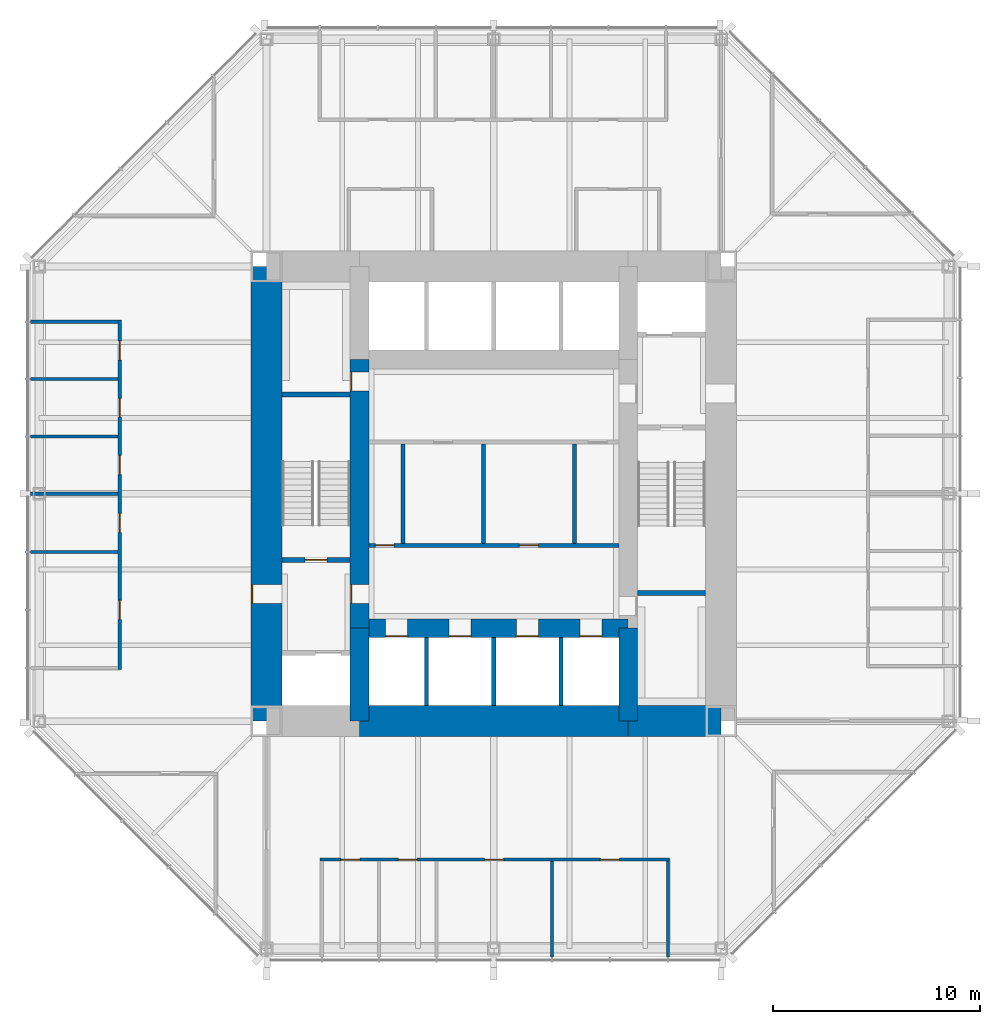
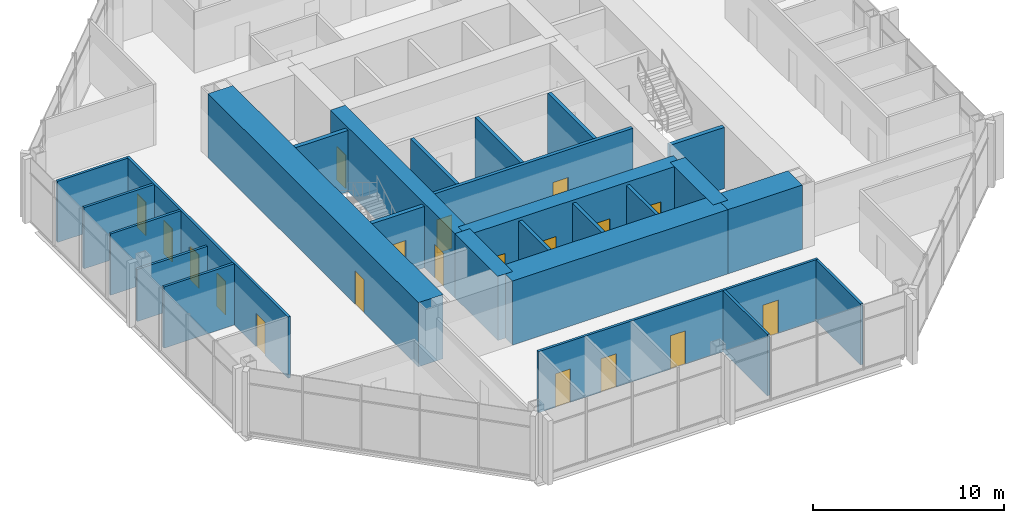
# One storey, part 9 of 12: 26 walls, 19 doors, 19 openings.
"""IFC4 building model written with IfcOpenShell, lengths in metres."""

from ifc_helpers import new_model, si_unit, direction, frame, frame_2d, origin, place, context, subcontext, project, spatial, rectangle, extrude, material, layer, layer_set, type_object, element, fill, save


model = new_model("IFC4")

# Units and contexts
model_context = context("Model", 3, precision=1e-05, world=origin(), true_north=direction((0.0, 1.0)))
body_context = subcontext(model_context, "Body", "Model", "MODEL_VIEW")
ifc_project = project(units=[si_unit("LENGTHUNIT", "METRE"), si_unit("AREAUNIT", "SQUARE_METRE"), si_unit("VOLUMEUNIT", "CUBIC_METRE"), si_unit("PLANEANGLEUNIT", "RADIAN"), si_unit("MASSUNIT", "GRAM", prefix="KILO")], contexts=[model_context])

# Site, building, storey
site_placement = place(None, origin())
site = spatial("IfcSite", under=ifc_project, at=site_placement, CompositionType="ELEMENT")
building_placement = place(site_placement, origin())
building = spatial("IfcBuilding", under=site, at=building_placement, Name="Trevanion Tower", CompositionType="ELEMENT")
storey_placement = place(building_placement, frame((0.0, 0.0, 166.39990234375)))
storey = spatial("IfcBuildingStorey", under=building, at=storey_placement, Name="L39", CompositionType="ELEMENT", Elevation=166.39990234375)

# Wall, opening, door
ifc_material_1 = material(Name="Concrete 10,000 psi", Category="concrete")
ifc_layer_1 = layer(ifc_material_1, 1.5)
ifc_layer_set_1 = layer_set([ifc_layer_1], Name="CW1 core wall 1500")
wall_type_1 = type_object("IfcWallType", Name="CW1 core wall 1500", PredefinedType="SHEAR", material=ifc_layer_set_1)
wall_1_placement = place(storey_placement, frame((-11.0, 11.0, 0.0), z_axis=(0.0, 0.0, 1.0), x_axis=(0.0, -1.0, 0.0)))
wall_1 = element("IfcWall", 1, at=wall_1_placement, inside=storey, type_object=wall_type_1, Name="CW1 CW L39", PredefinedType="SHEAR", context=body_context, shape_type="SweptSolid", body=[
    extrude(rectangle(XDim=22.0, YDim=1.5, at=frame_2d((11.0, 0.0))), origin(), (0.0, 0.0, 1.0), 4.10009765625),
])
opening_1_placement = place(wall_1_placement, frame((15.392578125, 0.0, 0.0)))
opening_1 = element("IfcOpeningElement", 2, at=opening_1_placement, cuts=wall_1, Name="Opening 39-002", PredefinedType="OPENING", context=body_context, shape_type="SweptSolid", body=[
    extrude(rectangle(XDim=0.9150390625, YDim=2.134033203125, at=frame_2d((0.45751953125, 1.06689453125))), frame((0.0, 0.760009765625, 0.0), z_axis=(0.0, -1.0, 0.0), x_axis=(1.0, 0.0, 0.0)), (0.0, 0.0, 1.0), 1.52001953125),
])
ifc_material_2 = material(Name="Hollow metal, fire rated", Category="steel")
door_type_1 = type_object("IfcDoorType", Name="D3 fire lift lobby door", OperationType="SINGLE_SWING_RIGHT", PredefinedType="DOOR", material=ifc_material_2)
door_1_placement = place(opening_1_placement, origin())
door_1 = element("IfcDoor", 3, at=door_1_placement, inside=storey, type_object=door_type_1, Name="Door 39-002", OperationType="SINGLE_SWING_RIGHT", OverallHeight=2.134033203125, OverallWidth=0.9150390625, PredefinedType="DOOR", context=body_context, shape_type="SweptSolid", body=[
    extrude(rectangle(XDim=0.9150390625, YDim=2.134033203125, at=frame_2d((0.45751953125, 1.06689453125))), frame((0.0, -0.6748046875, 0.0), z_axis=(0.0, -1.0, 0.0), x_axis=(1.0, 0.0, 0.0)), (0.0, 0.0, 1.0), 0.050048828125),
])
fill(opening_1, door_1)

# Walls
wall_2_placement = place(storey_placement, frame((-6.5, -11.0, 0.0), z_axis=(0.0, 0.0, 1.0), x_axis=(1.0, 0.0, 0.0)))
element("IfcWall", 4, at=wall_2_placement, inside=storey, type_object=wall_type_1, Name="CW1 CS2 L39", PredefinedType="SHEAR", context=body_context, shape_type="SweptSolid", body=[
    extrude(rectangle(XDim=13.0, YDim=1.5, at=frame_2d((6.5, 0.0))), origin(), (0.0, 0.0, 1.0), 4.10009765625),
])
wall_3_placement = place(storey_placement, frame((6.5, -11.0, 0.0), z_axis=(0.0, 0.0, 1.0), x_axis=(1.0, 0.0, 0.0)))
element("IfcWall", 5, at=wall_3_placement, inside=storey, type_object=wall_type_1, Name="CW1 CS3 L39", PredefinedType="SHEAR", context=body_context, shape_type="SweptSolid", body=[
    extrude(rectangle(XDim=4.5, YDim=1.5, at=frame_2d((2.25, 0.0))), origin(), (0.0, 0.0, 1.0), 4.10009765625),
])
ifc_material_3 = material(Name="Concrete 10,000 psi", Category="concrete")
ifc_layer_2 = layer(ifc_material_3, 0.89990234375)
ifc_layer_set_2 = layer_set([ifc_layer_2], Name="CW2 core wall 900")
wall_type_2 = type_object("IfcWallType", Name="CW2 core wall 900", PredefinedType="SHEAR", material=ifc_layer_set_2)
wall_4_placement = place(storey_placement, frame((6.5, -11.0, 0.0), z_axis=(0.0, 0.0, 1.0), x_axis=(0.0, 1.0, 0.0)))
element("IfcWall", 6, at=wall_4_placement, inside=storey, type_object=wall_type_2, Name="CW2 RE1 L39", PredefinedType="SHEAR", context=body_context, shape_type="SweptSolid", body=[
    extrude(rectangle(XDim=4.5, YDim=0.89990234375, at=frame_2d((2.25, 0.0))), origin(), (0.0, 0.0, 1.0), 4.10009765625),
])

# Wall, openings, doors
wall_5_placement = place(storey_placement, frame((-6.5, 6.5, 0.0), z_axis=(0.0, 0.0, 1.0), x_axis=(0.0, -1.0, 0.0)))
wall_5 = element("IfcWall", 7, at=wall_5_placement, inside=storey, type_object=wall_type_2, Name="CW2 RW2 L39", PredefinedType="SHEAR", context=body_context, shape_type="SweptSolid", body=[
    extrude(rectangle(XDim=13.0, YDim=0.89990234375, at=frame_2d((6.5, 0.0))), origin(), (0.0, 0.0, 1.0), 4.10009765625),
])
opening_2_placement = place(wall_5_placement, frame((10.892578125, 0.0, 0.0)))
opening_2 = element("IfcOpeningElement", 8, at=opening_2_placement, cuts=wall_5, Name="Opening 39-004", PredefinedType="OPENING", context=body_context, shape_type="SweptSolid", body=[
    extrude(rectangle(XDim=0.9150390625, YDim=2.134033203125, at=frame_2d((0.45751953125, 1.06689453125))), frame((0.0, 0.4599609375, 0.0), z_axis=(0.0, -1.0, 0.0), x_axis=(1.0, 0.0, 0.0)), (0.0, 0.0, 1.0), 0.919921875),
])
opening_3_placement = place(wall_5_placement, frame((0.610107421875, 0.0, 0.0)))
opening_3 = element("IfcOpeningElement", 9, at=opening_3_placement, cuts=wall_5, Name="Opening 39-010", PredefinedType="OPENING", context=body_context, shape_type="SweptSolid", body=[
    extrude(rectangle(XDim=0.9150390625, YDim=2.134033203125, at=frame_2d((0.45751953125, 1.06689453125))), frame((0.0, 0.4599609375, 0.0), z_axis=(0.0, -1.0, 0.0), x_axis=(1.0, 0.0, 0.0)), (0.0, 0.0, 1.0), 0.919921875),
])
door_2_placement = place(opening_2_placement, origin())
door_2 = element("IfcDoor", 10, at=door_2_placement, inside=storey, type_object=door_type_1, Name="Door 39-004", OperationType="SINGLE_SWING_RIGHT", OverallHeight=2.134033203125, OverallWidth=0.9150390625, PredefinedType="DOOR", context=body_context, shape_type="SweptSolid", body=[
    extrude(rectangle(XDim=0.9150390625, YDim=2.134033203125, at=frame_2d((0.45751953125, 1.06689453125))), frame((0.0, -0.375, 0.0), z_axis=(0.0, -1.0, 0.0), x_axis=(1.0, 0.0, 0.0)), (0.0, 0.0, 1.0), 0.050048828125),
])
fill(opening_2, door_2)
ifc_material_4 = material(Name="Hollow metal, fire rated", Category="steel")
door_type_2 = type_object("IfcDoorType", Name="D5 service room door", OperationType="SINGLE_SWING_RIGHT", PredefinedType="DOOR", material=ifc_material_4)
door_3_placement = place(opening_3_placement, origin())
door_3 = element("IfcDoor", 11, at=door_3_placement, inside=storey, type_object=door_type_2, Name="Door 39-010", OperationType="SINGLE_SWING_RIGHT", OverallHeight=2.134033203125, OverallWidth=0.9150390625, PredefinedType="DOOR", context=body_context, shape_type="SweptSolid", body=[
    extrude(rectangle(XDim=0.9150390625, YDim=2.134033203125, at=frame_2d((0.45751953125, 1.06689453125))), frame((0.0, -0.375, 0.0), z_axis=(0.0, -1.0, 0.0), x_axis=(1.0, 0.0, 0.0)), (0.0, 0.0, 1.0), 0.050048828125),
])
fill(opening_3, door_3)

# Wall
wall_6_placement = place(storey_placement, frame((-6.5, -6.5, 0.0), z_axis=(0.0, 0.0, 1.0), x_axis=(0.0, -1.0, 0.0)))
element("IfcWall", 12, at=wall_6_placement, inside=storey, type_object=wall_type_2, Name="CW2 RW3 L39", PredefinedType="SHEAR", context=body_context, shape_type="SweptSolid", body=[
    extrude(rectangle(XDim=4.5, YDim=0.89990234375, at=frame_2d((2.25, 0.0))), origin(), (0.0, 0.0, 1.0), 4.10009765625),
])

# Wall, openings, doors
wall_7_placement = place(storey_placement, frame((-6.5, -6.5, 0.0), z_axis=(0.0, 0.0, 1.0), x_axis=(1.0, 0.0, 0.0)))
wall_7 = element("IfcWall", 13, at=wall_7_placement, inside=storey, type_object=wall_type_2, Name="CW2 RS L39", PredefinedType="SHEAR", context=body_context, shape_type="SweptSolid", body=[
    extrude(rectangle(XDim=13.0, YDim=0.89990234375, at=frame_2d((6.5, 0.0))), origin(), (0.0, 0.0, 1.0), 4.10009765625),
])
opening_4_placement = place(wall_7_placement, frame((1.2666015625, 0.0, 0.0)))
opening_4 = element("IfcOpeningElement", 14, at=opening_4_placement, cuts=wall_7, Name="Opening 39-011", PredefinedType="OPENING", context=body_context, shape_type="SweptSolid", body=[
    extrude(rectangle(XDim=1.06689453125, YDim=2.134033203125, at=frame_2d((0.533447265625, 1.06689453125))), frame((0.0, 0.4599609375, 0.0), z_axis=(0.0, -1.0, 0.0), x_axis=(1.0, 0.0, 0.0)), (0.0, 0.0, 1.0), 0.919921875),
])
opening_5_placement = place(wall_7_placement, frame((4.341552734375, 0.0, 0.0)))
opening_5 = element("IfcOpeningElement", 15, at=opening_5_placement, cuts=wall_7, Name="Opening 39-012", PredefinedType="OPENING", context=body_context, shape_type="SweptSolid", body=[
    extrude(rectangle(XDim=1.06689453125, YDim=2.134033203125, at=frame_2d((0.533447265625, 1.06689453125))), frame((0.0, 0.4599609375, 0.0), z_axis=(0.0, -1.0, 0.0), x_axis=(1.0, 0.0, 0.0)), (0.0, 0.0, 1.0), 0.919921875),
])
opening_6_placement = place(wall_7_placement, frame((7.591552734375, 0.0, 0.0)))
opening_6 = element("IfcOpeningElement", 16, at=opening_6_placement, cuts=wall_7, Name="Opening 39-013", PredefinedType="OPENING", context=body_context, shape_type="SweptSolid", body=[
    extrude(rectangle(XDim=1.06689453125, YDim=2.134033203125, at=frame_2d((0.533447265625, 1.06689453125))), frame((0.0, 0.4599609375, 0.0), z_axis=(0.0, -1.0, 0.0), x_axis=(1.0, 0.0, 0.0)), (0.0, 0.0, 1.0), 0.919921875),
])
opening_7_placement = place(wall_7_placement, frame((10.66650390625, 0.0, 0.0)))
opening_7 = element("IfcOpeningElement", 17, at=opening_7_placement, cuts=wall_7, Name="Opening 39-014", PredefinedType="OPENING", context=body_context, shape_type="SweptSolid", body=[
    extrude(rectangle(XDim=1.06689453125, YDim=2.134033203125, at=frame_2d((0.533447265625, 1.06689453125))), frame((0.0, 0.4599609375, 0.0), z_axis=(0.0, -1.0, 0.0), x_axis=(1.0, 0.0, 0.0)), (0.0, 0.0, 1.0), 0.919921875),
])
ifc_material_5 = material(Name="Stainless steel, fire rated", Category="steel")
door_type_3 = type_object("IfcDoorType", Name="LD1 lift landing door", OperationType="SLIDING_TO_LEFT", PredefinedType="DOOR", material=ifc_material_5)
door_4_placement = place(opening_4_placement, origin())
door_4 = element("IfcDoor", 18, at=door_4_placement, inside=storey, type_object=door_type_3, Name="Door 39-011", OperationType="SLIDING_TO_LEFT", OverallHeight=2.134033203125, OverallWidth=1.06689453125, PredefinedType="DOOR", context=body_context, shape_type="SweptSolid", body=[
    extrude(rectangle(XDim=1.06689453125, YDim=2.134033203125, at=frame_2d((0.533447265625, 1.06689453125))), frame((0.0, -0.375, 0.0), z_axis=(0.0, -1.0, 0.0), x_axis=(1.0, 0.0, 0.0)), (0.0, 0.0, 1.0), 0.050048828125),
])
fill(opening_4, door_4)
door_5_placement = place(opening_5_placement, origin())
door_5 = element("IfcDoor", 19, at=door_5_placement, inside=storey, type_object=door_type_3, Name="Door 39-012", OperationType="SLIDING_TO_LEFT", OverallHeight=2.134033203125, OverallWidth=1.06689453125, PredefinedType="DOOR", context=body_context, shape_type="SweptSolid", body=[
    extrude(rectangle(XDim=1.06689453125, YDim=2.134033203125, at=frame_2d((0.533447265625, 1.06689453125))), frame((0.0, -0.375, 0.0), z_axis=(0.0, -1.0, 0.0), x_axis=(1.0, 0.0, 0.0)), (0.0, 0.0, 1.0), 0.050048828125),
])
fill(opening_5, door_5)
door_6_placement = place(opening_6_placement, origin())
door_6 = element("IfcDoor", 20, at=door_6_placement, inside=storey, type_object=door_type_3, Name="Door 39-013", OperationType="SLIDING_TO_LEFT", OverallHeight=2.134033203125, OverallWidth=1.06689453125, PredefinedType="DOOR", context=body_context, shape_type="SweptSolid", body=[
    extrude(rectangle(XDim=1.06689453125, YDim=2.134033203125, at=frame_2d((0.533447265625, 1.06689453125))), frame((0.0, -0.375, 0.0), z_axis=(0.0, -1.0, 0.0), x_axis=(1.0, 0.0, 0.0)), (0.0, 0.0, 1.0), 0.050048828125),
])
fill(opening_6, door_6)
door_7_placement = place(opening_7_placement, origin())
door_7 = element("IfcDoor", 21, at=door_7_placement, inside=storey, type_object=door_type_3, Name="Door 39-014", OperationType="SLIDING_TO_LEFT", OverallHeight=2.134033203125, OverallWidth=1.06689453125, PredefinedType="DOOR", context=body_context, shape_type="SweptSolid", body=[
    extrude(rectangle(XDim=1.06689453125, YDim=2.134033203125, at=frame_2d((0.533447265625, 1.06689453125))), frame((0.0, -0.375, 0.0), z_axis=(0.0, -1.0, 0.0), x_axis=(1.0, 0.0, 0.0)), (0.0, 0.0, 1.0), 0.050048828125),
])
fill(opening_7, door_7)

ifc_material_6 = material(Name="Gypsum board on steel studs", Category="steel")
ifc_layer_3 = layer(ifc_material_6, 0.14990234375)
ifc_layer_set_3 = layer_set([ifc_layer_3], Name="PT1 partition 150")
wall_type_3 = type_object("IfcWallType", Name="PT1 partition 150", PredefinedType="PARTITIONING", material=ifc_layer_set_3)
wall_8_placement = place(storey_placement, frame((-18.10009765625, 8.39794921875, 0.0), z_axis=(0.0, 0.0, 1.0), x_axis=(0.0, -1.0, 0.0)))
wall_8 = element("IfcWall", 22, at=wall_8_placement, inside=storey, type_object=wall_type_3, Name="PT1 L39 FC2F", PredefinedType="PARTITIONING", context=body_context, shape_type="SweptSolid", body=[
    extrude(rectangle(XDim=16.89404296875, YDim=0.14990234375, at=frame_2d((8.447021484375, 0.0))), origin(), (0.0, 0.0, 1.0), 3.91015625),
])
opening_8_placement = place(wall_8_placement, frame((1.00439453125, 0.0, 0.0)))
opening_8 = element("IfcOpeningElement", 23, at=opening_8_placement, cuts=wall_8, Name="Opening 39-035", PredefinedType="OPENING", context=body_context, shape_type="SweptSolid", body=[
    extrude(rectangle(XDim=0.9150390625, YDim=2.134033203125, at=frame_2d((0.45751953125, 1.06689453125))), frame((0.0, 0.0849609375, 0.0), z_axis=(0.0, -1.0, 0.0), x_axis=(1.0, 0.0, 0.0)), (0.0, 0.0, 1.0), 0.169921875),
])
opening_9_placement = place(wall_8_placement, frame((3.778564453125, 0.0, 0.0)))
opening_9 = element("IfcOpeningElement", 24, at=opening_9_placement, cuts=wall_8, Name="Opening 39-036", PredefinedType="OPENING", context=body_context, shape_type="SweptSolid", body=[
    extrude(rectangle(XDim=0.9150390625, YDim=2.134033203125, at=frame_2d((0.45751953125, 1.06689453125))), frame((0.0, 0.0849609375, 0.0), z_axis=(0.0, -1.0, 0.0), x_axis=(1.0, 0.0, 0.0)), (0.0, 0.0, 1.0), 0.169921875),
])
opening_10_placement = place(wall_8_placement, frame((6.552978515625, 0.0, 0.0)))
opening_10 = element("IfcOpeningElement", 25, at=opening_10_placement, cuts=wall_8, Name="Opening 39-037", PredefinedType="OPENING", context=body_context, shape_type="SweptSolid", body=[
    extrude(rectangle(XDim=0.9150390625, YDim=2.134033203125, at=frame_2d((0.45751953125, 1.06689453125))), frame((0.0, 0.0849609375, 0.0), z_axis=(0.0, -1.0, 0.0), x_axis=(1.0, 0.0, 0.0)), (0.0, 0.0, 1.0), 0.169921875),
])
opening_11_placement = place(wall_8_placement, frame((9.343994140625, 0.0, 0.0)))
opening_11 = element("IfcOpeningElement", 26, at=opening_11_placement, cuts=wall_8, Name="Opening 39-038", PredefinedType="OPENING", context=body_context, shape_type="SweptSolid", body=[
    extrude(rectangle(XDim=0.9150390625, YDim=2.134033203125, at=frame_2d((0.45751953125, 1.06689453125))), frame((0.0, 0.0849609375, 0.0), z_axis=(0.0, -1.0, 0.0), x_axis=(1.0, 0.0, 0.0)), (0.0, 0.0, 1.0), 0.169921875),
])
opening_12_placement = place(wall_8_placement, frame((13.554443359375, 0.0, 0.0)))
opening_12 = element("IfcOpeningElement", 27, at=opening_12_placement, cuts=wall_8, Name="Opening 39-039", PredefinedType="OPENING", context=body_context, shape_type="SweptSolid", body=[
    extrude(rectangle(XDim=0.9150390625, YDim=2.134033203125, at=frame_2d((0.45751953125, 1.06689453125))), frame((0.0, 0.0849609375, 0.0), z_axis=(0.0, -1.0, 0.0), x_axis=(1.0, 0.0, 0.0)), (0.0, 0.0, 1.0), 0.169921875),
])
ifc_material_7 = material(Name="Timber veneer, solid core", Category="wood")
door_type_4 = type_object("IfcDoorType", Name="D1 office and meeting room door", OperationType="SINGLE_SWING_LEFT", PredefinedType="DOOR", material=ifc_material_7)
door_8_placement = place(opening_8_placement, origin())
door_8 = element("IfcDoor", 28, at=door_8_placement, inside=storey, type_object=door_type_4, Name="Door 39-035", OperationType="SINGLE_SWING_LEFT", OverallHeight=2.134033203125, OverallWidth=0.9150390625, PredefinedType="DOOR", context=body_context, shape_type="SweptSolid", body=[
    extrude(rectangle(XDim=0.9150390625, YDim=2.134033203125, at=frame_2d((0.45751953125, 1.06689453125))), frame((0.0, 0.02490234375, 0.0), z_axis=(0.0, -1.0, 0.0), x_axis=(1.0, 0.0, 0.0)), (0.0, 0.0, 1.0), 0.050048828125),
])
fill(opening_8, door_8)
door_9_placement = place(opening_9_placement, origin())
door_9 = element("IfcDoor", 29, at=door_9_placement, inside=storey, type_object=door_type_4, Name="Door 39-036", OperationType="SINGLE_SWING_LEFT", OverallHeight=2.134033203125, OverallWidth=0.9150390625, PredefinedType="DOOR", context=body_context, shape_type="SweptSolid", body=[
    extrude(rectangle(XDim=0.9150390625, YDim=2.134033203125, at=frame_2d((0.45751953125, 1.06689453125))), frame((0.0, 0.02490234375, 0.0), z_axis=(0.0, -1.0, 0.0), x_axis=(1.0, 0.0, 0.0)), (0.0, 0.0, 1.0), 0.050048828125),
])
fill(opening_9, door_9)
door_10_placement = place(opening_10_placement, origin())
door_10 = element("IfcDoor", 30, at=door_10_placement, inside=storey, type_object=door_type_4, Name="Door 39-037", OperationType="SINGLE_SWING_LEFT", OverallHeight=2.134033203125, OverallWidth=0.9150390625, PredefinedType="DOOR", context=body_context, shape_type="SweptSolid", body=[
    extrude(rectangle(XDim=0.9150390625, YDim=2.134033203125, at=frame_2d((0.45751953125, 1.06689453125))), frame((0.0, 0.02490234375, 0.0), z_axis=(0.0, -1.0, 0.0), x_axis=(1.0, 0.0, 0.0)), (0.0, 0.0, 1.0), 0.050048828125),
])
fill(opening_10, door_10)
door_11_placement = place(opening_11_placement, origin())
door_11 = element("IfcDoor", 31, at=door_11_placement, inside=storey, type_object=door_type_4, Name="Door 39-038", OperationType="SINGLE_SWING_LEFT", OverallHeight=2.134033203125, OverallWidth=0.9150390625, PredefinedType="DOOR", context=body_context, shape_type="SweptSolid", body=[
    extrude(rectangle(XDim=0.9150390625, YDim=2.134033203125, at=frame_2d((0.45751953125, 1.06689453125))), frame((0.0, 0.02490234375, 0.0), z_axis=(0.0, -1.0, 0.0), x_axis=(1.0, 0.0, 0.0)), (0.0, 0.0, 1.0), 0.050048828125),
])
fill(opening_11, door_11)
door_12_placement = place(opening_12_placement, origin())
door_12 = element("IfcDoor", 32, at=door_12_placement, inside=storey, type_object=door_type_4, Name="Door 39-039", OperationType="SINGLE_SWING_LEFT", OverallHeight=2.134033203125, OverallWidth=0.9150390625, PredefinedType="DOOR", context=body_context, shape_type="SweptSolid", body=[
    extrude(rectangle(XDim=0.9150390625, YDim=2.134033203125, at=frame_2d((0.45751953125, 1.06689453125))), frame((0.0, 0.02490234375, 0.0), z_axis=(0.0, -1.0, 0.0), x_axis=(1.0, 0.0, 0.0)), (0.0, 0.0, 1.0), 0.050048828125),
])
fill(opening_12, door_12)

# Walls
for number, where, z_axis, x_axis, name in (
    (33, (-18.175048828125, 8.322998046875, 0.0), (0.0, 0.0, 1.0), (-1.0, 0.0, 0.0), "PT1 L39 FC2S0"),
    (34, (-18.175048828125, 5.549072265625, 0.0), (0.0, 0.0, 1.0), (-1.0, 0.0, 0.0), "PT1 L39 FC2S1"),
    (35, (-18.175048828125, 2.77490234375, 0.0), (0.0, 0.0, 1.0), (-1.0, 0.0, 0.0), "PT1 L39 FC2S2"),
):
    element("IfcWall", number, at=place(storey_placement, frame(where, z_axis=z_axis, x_axis=x_axis)), inside=storey, type_object=wall_type_3, Name=name, PredefinedType="PARTITIONING", context=body_context, shape_type="SweptSolid", body=[
        extrude(rectangle(XDim=4.239990234375, YDim=0.14990234375, at=frame_2d((2.1201171875, 0.0))), origin(), (0.0, 0.0, 1.0), 3.91015625),
    ])
wall_9_placement = place(storey_placement, frame((-18.175048828125, 0.0, 0.0), z_axis=(0.0, 0.0, 1.0), x_axis=(-1.0, 0.0, 0.0)))
element("IfcWall", 36, at=wall_9_placement, inside=storey, type_object=wall_type_3, Name="PT1 L39 FC2S3", PredefinedType="PARTITIONING", context=body_context, shape_type="SweptSolid", body=[
    extrude(rectangle(XDim=4.239990234375, YDim=0.14990234375, at=frame_2d((2.1201171875, 0.0))), origin(), (0.0, 0.0, 1.0), 3.325927734375),
])
wall_10_placement = place(storey_placement, frame((-18.175048828125, -2.806884765625, 0.0), z_axis=(0.0, 0.0, 1.0), x_axis=(-1.0, 0.0, 0.0)))
element("IfcWall", 37, at=wall_10_placement, inside=storey, type_object=wall_type_3, Name="PT1 L39 FC2S4", PredefinedType="PARTITIONING", context=body_context, shape_type="SweptSolid", body=[
    extrude(rectangle(XDim=4.239990234375, YDim=0.14990234375, at=frame_2d((2.1201171875, 0.0))), origin(), (0.0, 0.0, 1.0), 3.91015625),
])

# Wall, openings, doors
wall_11_placement = place(storey_placement, frame((-8.39794921875, -17.699951171875, 0.0), z_axis=(0.0, 0.0, 1.0), x_axis=(1.0, 0.0, 0.0)))
wall_11 = element("IfcWall", 38, at=wall_11_placement, inside=storey, type_object=wall_type_3, Name="PT1 L39 FC3F", PredefinedType="PARTITIONING", context=body_context, shape_type="SweptSolid", body=[
    extrude(rectangle(XDim=16.89404296875, YDim=0.14990234375, at=frame_2d((8.447021484375, 0.0))), origin(), (0.0, 0.0, 1.0), 3.91015625),
])
opening_13_placement = place(wall_11_placement, frame((1.00439453125, 0.0, 0.0)))
opening_13 = element("IfcOpeningElement", 39, at=opening_13_placement, cuts=wall_11, Name="Opening 39-040", PredefinedType="OPENING", context=body_context, shape_type="SweptSolid", body=[
    extrude(rectangle(XDim=0.9150390625, YDim=2.134033203125, at=frame_2d((0.45751953125, 1.06689453125))), frame((0.0, 0.0849609375, 0.0), z_axis=(0.0, -1.0, 0.0), x_axis=(1.0, 0.0, 0.0)), (0.0, 0.0, 1.0), 0.169921875),
])
opening_14_placement = place(wall_11_placement, frame((3.778564453125, 0.0, 0.0)))
opening_14 = element("IfcOpeningElement", 40, at=opening_14_placement, cuts=wall_11, Name="Opening 39-041", PredefinedType="OPENING", context=body_context, shape_type="SweptSolid", body=[
    extrude(rectangle(XDim=0.9150390625, YDim=2.134033203125, at=frame_2d((0.45751953125, 1.06689453125))), frame((0.0, 0.0849609375, 0.0), z_axis=(0.0, -1.0, 0.0), x_axis=(1.0, 0.0, 0.0)), (0.0, 0.0, 1.0), 0.169921875),
])
opening_15_placement = place(wall_11_placement, frame((7.95654296875, 0.0, 0.0)))
opening_15 = element("IfcOpeningElement", 41, at=opening_15_placement, cuts=wall_11, Name="Opening 39-042", PredefinedType="OPENING", context=body_context, shape_type="SweptSolid", body=[
    extrude(rectangle(XDim=0.9150390625, YDim=2.134033203125, at=frame_2d((0.45751953125, 1.06689453125))), frame((0.0, 0.0849609375, 0.0), z_axis=(0.0, -1.0, 0.0), x_axis=(1.0, 0.0, 0.0)), (0.0, 0.0, 1.0), 0.169921875),
])
opening_16_placement = place(wall_11_placement, frame((13.554443359375, 0.0, 0.0)))
opening_16 = element("IfcOpeningElement", 42, at=opening_16_placement, cuts=wall_11, Name="Opening 39-043", PredefinedType="OPENING", context=body_context, shape_type="SweptSolid", body=[
    extrude(rectangle(XDim=0.9150390625, YDim=2.134033203125, at=frame_2d((0.45751953125, 1.06689453125))), frame((0.0, 0.0849609375, 0.0), z_axis=(0.0, -1.0, 0.0), x_axis=(1.0, 0.0, 0.0)), (0.0, 0.0, 1.0), 0.169921875),
])
door_13_placement = place(opening_13_placement, origin())
door_13 = element("IfcDoor", 43, at=door_13_placement, inside=storey, type_object=door_type_4, Name="Door 39-040", OperationType="SINGLE_SWING_LEFT", OverallHeight=2.134033203125, OverallWidth=0.9150390625, PredefinedType="DOOR", context=body_context, shape_type="SweptSolid", body=[
    extrude(rectangle(XDim=0.9150390625, YDim=2.134033203125, at=frame_2d((0.45751953125, 1.06689453125))), frame((0.0, 0.02490234375, 0.0), z_axis=(0.0, -1.0, 0.0), x_axis=(1.0, 0.0, 0.0)), (0.0, 0.0, 1.0), 0.050048828125),
])
fill(opening_13, door_13)
door_14_placement = place(opening_14_placement, origin())
door_14 = element("IfcDoor", 44, at=door_14_placement, inside=storey, type_object=door_type_4, Name="Door 39-041", OperationType="SINGLE_SWING_LEFT", OverallHeight=2.134033203125, OverallWidth=0.9150390625, PredefinedType="DOOR", context=body_context, shape_type="SweptSolid", body=[
    extrude(rectangle(XDim=0.9150390625, YDim=2.134033203125, at=frame_2d((0.45751953125, 1.06689453125))), frame((0.0, 0.02490234375, 0.0), z_axis=(0.0, -1.0, 0.0), x_axis=(1.0, 0.0, 0.0)), (0.0, 0.0, 1.0), 0.050048828125),
])
fill(opening_14, door_14)
door_15_placement = place(opening_15_placement, origin())
door_15 = element("IfcDoor", 45, at=door_15_placement, inside=storey, type_object=door_type_4, Name="Door 39-042", OperationType="SINGLE_SWING_LEFT", OverallHeight=2.134033203125, OverallWidth=0.9150390625, PredefinedType="DOOR", context=body_context, shape_type="SweptSolid", body=[
    extrude(rectangle(XDim=0.9150390625, YDim=2.134033203125, at=frame_2d((0.45751953125, 1.06689453125))), frame((0.0, 0.02490234375, 0.0), z_axis=(0.0, -1.0, 0.0), x_axis=(1.0, 0.0, 0.0)), (0.0, 0.0, 1.0), 0.050048828125),
])
fill(opening_15, door_15)
door_16_placement = place(opening_16_placement, origin())
door_16 = element("IfcDoor", 46, at=door_16_placement, inside=storey, type_object=door_type_4, Name="Door 39-043", OperationType="SINGLE_SWING_LEFT", OverallHeight=2.134033203125, OverallWidth=0.9150390625, PredefinedType="DOOR", context=body_context, shape_type="SweptSolid", body=[
    extrude(rectangle(XDim=0.9150390625, YDim=2.134033203125, at=frame_2d((0.45751953125, 1.06689453125))), frame((0.0, 0.02490234375, 0.0), z_axis=(0.0, -1.0, 0.0), x_axis=(1.0, 0.0, 0.0)), (0.0, 0.0, 1.0), 0.050048828125),
])
fill(opening_16, door_16)

# Walls
for number, where, z_axis, x_axis, name in (
    (47, (2.806884765625, -17.77490234375, 0.0), (0.0, 0.0, 1.0), (0.0, -1.0, 0.0), "PT1 L39 FC3S4"),
    (48, (8.4208984375, -17.77490234375, 0.0), (0.0, 0.0, 1.0), (0.0, -1.0, 0.0), "PT1 L39 FC3S6"),
):
    element("IfcWall", number, at=place(storey_placement, frame(where, z_axis=z_axis, x_axis=x_axis)), inside=storey, type_object=wall_type_3, Name=name, PredefinedType="PARTITIONING", context=body_context, shape_type="SweptSolid", body=[
        extrude(rectangle(XDim=4.64013671875, YDim=0.14990234375, at=frame_2d((2.320068359375, 0.0))), origin(), (0.0, 0.0, 1.0), 3.91015625),
    ])
ifc_material_8 = material(Name="Concrete masonry, grouted", Category="masonry")
ifc_layer_4 = layer(ifc_material_8, 0.199951171875)
ifc_layer_set_4 = layer_set([ifc_layer_4], Name="PT2 partition 200")
wall_type_4 = type_object("IfcWallType", Name="PT2 partition 200", PredefinedType="PARTITIONING", material=ifc_layer_set_4)
for number, where, z_axis, x_axis, name in (
    (49, (-4.39990234375, -2.39990234375, 0.0), (0.0, 0.0, 1.0), (0.0, 1.0, 0.0), "PT2 L39 TP1"),
    (50, (-0.5, -2.39990234375, 0.0), (0.0, 0.0, 1.0), (0.0, 1.0, 0.0), "PT2 L39 TP2"),
    (51, (3.89990234375, -2.39990234375, 0.0), (0.0, 0.0, 1.0), (0.0, 1.0, 0.0), "PT2 L39 TP3"),
):
    element("IfcWall", number, at=place(storey_placement, frame(where, z_axis=z_axis, x_axis=x_axis)), inside=storey, type_object=wall_type_4, Name=name, PredefinedType="PARTITIONING", context=body_context, shape_type="SweptSolid", body=[
        extrude(rectangle(XDim=4.7998046875, YDim=0.199951171875, at=frame_2d((2.39990234375, 0.0))), origin(), (0.0, 0.0, 1.0), 3.91015625),
    ])

# Wall, openings, doors
ifc_material_9 = material(Name="Concrete masonry, grouted", Category="masonry")
ifc_layer_5 = layer(ifc_material_9, 0.199951171875)
ifc_layer_set_5 = layer_set([ifc_layer_5], Name="PT2 partition 200 1 HR")
wall_type_5 = type_object("IfcWallType", Name="PT2 partition 200 1 HR", PredefinedType="PARTITIONING", material=ifc_layer_set_5)
wall_12_placement = place(storey_placement, frame((6.050048828125, -2.5, 0.0), z_axis=(0.0, 0.0, 1.0), x_axis=(-1.0, 0.0, 0.0)))
wall_12 = element("IfcWall", 52, at=wall_12_placement, inside=storey, type_object=wall_type_5, Name="PT2 L39 CP2", PredefinedType="PARTITIONING", context=body_context, shape_type="SweptSolid", body=[
    extrude(rectangle(XDim=12.10009765625, YDim=0.199951171875, at=frame_2d((6.050048828125, 0.0))), origin(), (0.0, 0.0, 1.0), 3.91015625),
])
opening_17_placement = place(wall_12_placement, frame((10.867431640625, 0.0, 0.0)))
opening_17 = element("IfcOpeningElement", 53, at=opening_17_placement, cuts=wall_12, Name="Opening 39-015", PredefinedType="OPENING", context=body_context, shape_type="SweptSolid", body=[
    extrude(rectangle(XDim=0.9150390625, YDim=2.134033203125, at=frame_2d((0.45751953125, 1.06689453125))), frame((0.0, 0.10986328125, 0.0), z_axis=(0.0, -1.0, 0.0), x_axis=(1.0, 0.0, 0.0)), (0.0, 0.0, 1.0), 0.219970703125),
])
opening_18_placement = place(wall_12_placement, frame((3.892578125, 0.0, 0.0)))
opening_18 = element("IfcOpeningElement", 54, at=opening_18_placement, cuts=wall_12, Name="Opening 39-017", PredefinedType="OPENING", context=body_context, shape_type="SweptSolid", body=[
    extrude(rectangle(XDim=0.9150390625, YDim=2.134033203125, at=frame_2d((0.45751953125, 1.06689453125))), frame((0.0, 0.10986328125, 0.0), z_axis=(0.0, -1.0, 0.0), x_axis=(1.0, 0.0, 0.0)), (0.0, 0.0, 1.0), 0.219970703125),
])
ifc_material_10 = material(Name="Plastic laminate on fire-rated core", Category="wood")
door_type_5 = type_object("IfcDoorType", Name="D12 toilet door in a one hour wall", OperationType="SINGLE_SWING_LEFT", PredefinedType="DOOR", material=ifc_material_10)
door_17_placement = place(opening_18_placement, origin())
door_17 = element("IfcDoor", 55, at=door_17_placement, inside=storey, type_object=door_type_5, Name="Door 39-017", OperationType="SINGLE_SWING_LEFT", OverallHeight=2.134033203125, OverallWidth=0.9150390625, PredefinedType="DOOR", context=body_context, shape_type="SweptSolid", body=[
    extrude(rectangle(XDim=0.9150390625, YDim=2.134033203125, at=frame_2d((0.45751953125, 1.06689453125))), frame((0.0, 0.02490234375, 0.0), z_axis=(0.0, -1.0, 0.0), x_axis=(1.0, 0.0, 0.0)), (0.0, 0.0, 1.0), 0.050048828125),
])
fill(opening_18, door_17)
door_18_placement = place(opening_17_placement, origin())
door_18 = element("IfcDoor", 56, at=door_18_placement, inside=storey, type_object=door_type_2, Name="Door 39-015", OperationType="SINGLE_SWING_RIGHT", OverallHeight=2.134033203125, OverallWidth=0.9150390625, PredefinedType="DOOR", context=body_context, shape_type="SweptSolid", body=[
    extrude(rectangle(XDim=0.9150390625, YDim=2.134033203125, at=frame_2d((0.45751953125, 1.06689453125))), frame((0.0, 0.02490234375, 0.0), z_axis=(0.0, -1.0, 0.0), x_axis=(1.0, 0.0, 0.0)), (0.0, 0.0, 1.0), 0.050048828125),
])
fill(opening_17, door_18)

# Walls
ifc_material_11 = material(Name="Concrete masonry, grouted", Category="masonry")
ifc_layer_6 = layer(ifc_material_11, 0.199951171875)
ifc_layer_set_6 = layer_set([ifc_layer_6], Name="PT2 partition 200 2 HR")
wall_type_6 = type_object("IfcWallType", Name="PT2 partition 200 2 HR", PredefinedType="PARTITIONING", material=ifc_layer_set_6)
for number, where, z_axis, x_axis, name in (
    (57, (-3.25, -10.25, 0.0), (0.0, 0.0, 1.0), (0.0, 1.0, 0.0), "PT2 L39 SS0"),
    (58, (0.0, -10.25, 0.0), (0.0, 0.0, 1.0), (0.0, 1.0, 0.0), "PT2 L39 SS1"),
    (59, (3.25, -10.25, 0.0), (0.0, 0.0, 1.0), (0.0, 1.0, 0.0), "PT2 L39 SS2"),
):
    element("IfcWall", number, at=place(storey_placement, frame(where, z_axis=z_axis, x_axis=x_axis)), inside=storey, type_object=wall_type_6, Name=name, PredefinedType="PARTITIONING", context=body_context, shape_type="SweptSolid", body=[
        extrude(rectangle(XDim=3.300048828125, YDim=0.199951171875, at=frame_2d((1.64990234375, 0.0))), origin(), (0.0, 0.0, 1.0), 3.91015625),
    ])
ifc_material_12 = material(Name="Reinforced masonry, fully grouted", Category="masonry")
ifc_layer_7 = layer(ifc_material_12, 0.25)
ifc_layer_set_7 = layer_set([ifc_layer_7], Name="SW1 stair shaft wall 250")
wall_type_7 = type_object("IfcWallType", Name="SW1 stair shaft wall 250", PredefinedType="SOLIDWALL", material=ifc_layer_set_7)
for number, where, z_axis, x_axis, name in (
    (60, (6.949951171875, -4.800048828125, 0.0), (0.0, 0.0, 1.0), (1.0, 0.0, 0.0), "SW1 L39 EP1"),
    (61, (-6.949951171875, 4.800048828125, 0.0), (0.0, 0.0, 1.0), (-1.0, 0.0, 0.0), "SW1 L39 WP1"),
):
    element("IfcWall", number, at=place(storey_placement, frame(where, z_axis=z_axis, x_axis=x_axis)), inside=storey, type_object=wall_type_7, Name=name, PredefinedType="SOLIDWALL", context=body_context, shape_type="SweptSolid", body=[
        extrude(rectangle(XDim=3.300048828125, YDim=0.25, at=frame_2d((1.64990234375, 0.0))), origin(), (0.0, 0.0, 1.0), 3.91015625),
    ])

# Wall, opening, door
wall_13_placement = place(storey_placement, frame((-6.949951171875, -3.199951171875, 0.0), z_axis=(0.0, 0.0, 1.0), x_axis=(-1.0, 0.0, 0.0)))
wall_13 = element("IfcWall", 62, at=wall_13_placement, inside=storey, type_object=wall_type_7, Name="SW1 L39 WP2", PredefinedType="SOLIDWALL", context=body_context, shape_type="SweptSolid", body=[
    extrude(rectangle(XDim=3.300048828125, YDim=0.25, at=frame_2d((1.64990234375, 0.0))), origin(), (0.0, 0.0, 1.0), 3.91015625),
])
opening_19_placement = place(wall_13_placement, frame((1.116455078125, 0.0, 0.0)))
opening_19 = element("IfcOpeningElement", 63, at=opening_19_placement, cuts=wall_13, Name="Opening 39-006", PredefinedType="OPENING", context=body_context, shape_type="SweptSolid", body=[
    extrude(rectangle(XDim=1.06689453125, YDim=2.134033203125, at=frame_2d((0.533447265625, 1.06689453125))), frame((0.0, 0.135009765625, 0.0), z_axis=(0.0, -1.0, 0.0), x_axis=(1.0, 0.0, 0.0)), (0.0, 0.0, 1.0), 0.27001953125),
])
ifc_material_13 = material(Name="Hollow metal, fire rated", Category="steel")
door_type_6 = type_object("IfcDoorType", Name="D2 exit stair door", OperationType="SINGLE_SWING_LEFT", PredefinedType="DOOR", material=ifc_material_13)
door_19_placement = place(opening_19_placement, origin())
door_19 = element("IfcDoor", 64, at=door_19_placement, inside=storey, type_object=door_type_6, Name="Door 39-006", OperationType="SINGLE_SWING_LEFT", OverallHeight=2.134033203125, OverallWidth=1.06689453125, PredefinedType="DOOR", context=body_context, shape_type="SweptSolid", body=[
    extrude(rectangle(XDim=1.06689453125, YDim=2.134033203125, at=frame_2d((0.533447265625, 1.06689453125))), frame((0.0, 0.02490234375, 0.0), z_axis=(0.0, -1.0, 0.0), x_axis=(1.0, 0.0, 0.0)), (0.0, 0.0, 1.0), 0.050048828125),
])
fill(opening_19, door_19)

save(model, "model.ifc")
